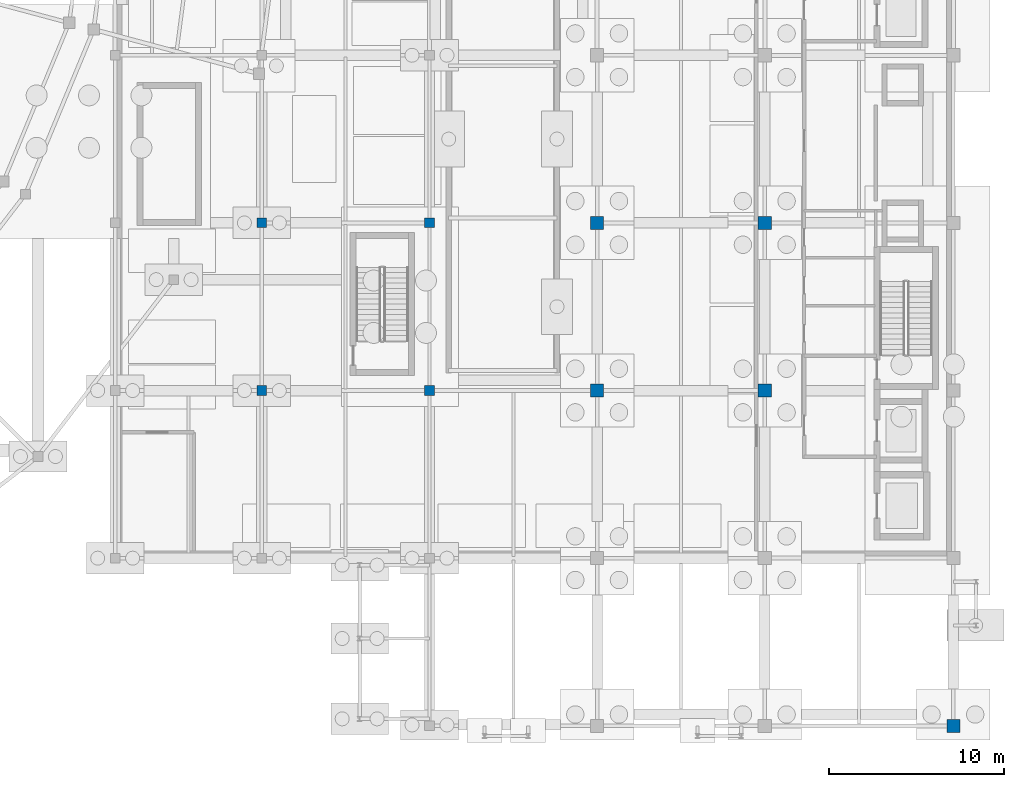
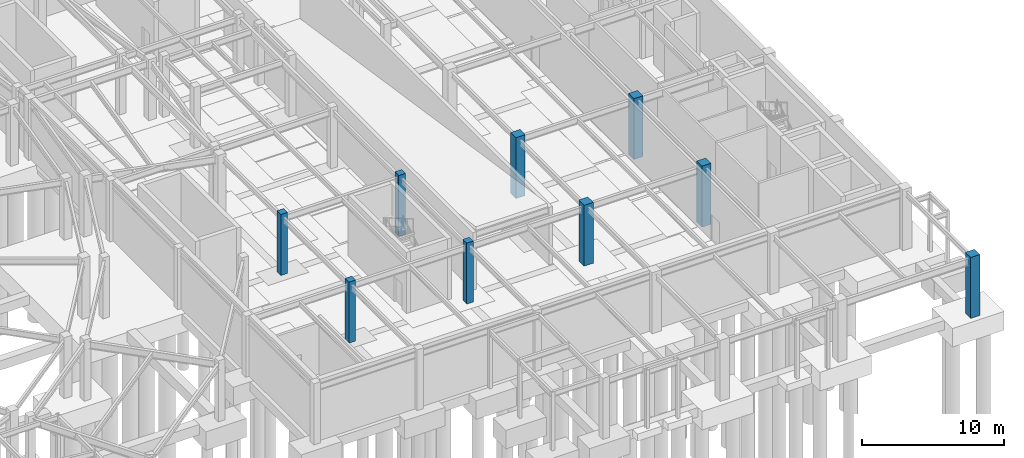
# One storey, part 30 of 55: 9 columns.
"""IFC4 building model written with IfcOpenShell, lengths in metres."""

from ifc_helpers import new_model, si_unit, direction, frame, origin, origin_2d, place, context, subcontext, project, spatial, rectangle, extrude, material, material_profile, profile_set, type_object, element, save


model = new_model("IFC4")

# Units and contexts
model_context = context("Model", 3, precision=1e-05, world=origin(), true_north=direction((0.0, 1.0)))
body_context = subcontext(model_context, "Body", "Model", "MODEL_VIEW")
ifc_project = project(units=[si_unit("LENGTHUNIT", "METRE"), si_unit("AREAUNIT", "SQUARE_METRE"), si_unit("VOLUMEUNIT", "CUBIC_METRE"), si_unit("PLANEANGLEUNIT", "RADIAN"), si_unit("MASSUNIT", "GRAM", prefix="KILO")], contexts=[model_context])

# Site, building, storey
site_placement = place(None, origin())
site = spatial("IfcSite", under=ifc_project, at=site_placement, CompositionType="ELEMENT")
building_placement = place(site_placement, origin())
building = spatial("IfcBuilding", under=site, at=building_placement, Name="Almandine Court Research Institute", CompositionType="ELEMENT")
storey_placement = place(building_placement, frame((0.0, 0.0, -5.25)))
storey = spatial("IfcBuildingStorey", under=building, at=storey_placement, Name="B1", CompositionType="ELEMENT", Elevation=-5.25)

# Columns
ifc_material = material(Name="Concrete C40/50", Category="concrete")
ifc_material_profile_1 = material_profile(ifc_material, rectangle(XDim=0.75, YDim=0.75, at=origin_2d()), Name="RC 750x750")
ifc_profile_set_1 = profile_set([ifc_material_profile_1], Name="Concrete C40/50")
column_type_1 = type_object("IfcColumnType", Name="Col-C-RC1", PredefinedType="COLUMN", material=ifc_profile_set_1)
for number, where, z_axis, x_axis, name in (
    (1, (153.60009765625, 25.199951171875, 0.0), (0.0, 0.0, 1.0), (1.0, 0.0, 0.0), "B1 V4 Column V4-X2Y3"),
    (2, (153.60009765625, 34.800048828125, 0.0), (0.0, 0.0, 1.0), (1.0, 0.0, 0.0), "B1 V4 Column V4-X2Y4"),
    (3, (163.199951171875, 25.199951171875, 0.0), (0.0, 0.0, 1.0), (1.0, 0.0, 0.0), "B1 V4 Column V4-X3Y3"),
    (4, (163.199951171875, 34.800048828125, 0.0), (0.0, 0.0, 1.0), (1.0, 0.0, 0.0), "B1 V4 Column V4-X3Y4"),
    (5, (174.0, 6.0, 0.0), (0.0, 0.0, 1.0), (1.0, 0.0, 0.0), "B1 V4 Column V4-X4Y1"),
):
    element("IfcColumn", number, at=place(storey_placement, frame(where, z_axis=z_axis, x_axis=x_axis)), inside=storey, type_object=column_type_1, Name=name, PredefinedType="COLUMN", context=body_context, shape_type="SweptSolid", body=[
        extrude(rectangle(XDim=0.75, YDim=0.75, at=origin_2d()), origin(), (0.0, 0.0, 1.0), 5.25),
    ])
ifc_material_profile_2 = material_profile(ifc_material, rectangle(XDim=0.550048828125, YDim=0.550048828125, at=origin_2d()), Name="RC 550x550")
ifc_profile_set_2 = profile_set([ifc_material_profile_2], Name="Concrete C40/50")
column_type_2 = type_object("IfcColumnType", Name="Col-C-RC3", PredefinedType="COLUMN", material=ifc_profile_set_2)
for number, where, z_axis, x_axis, name in (
    (6, (134.39990234375, 25.199951171875, 0.0), (0.0, 0.0, 1.0), (1.0, 0.0, 0.0), "B1 B1G Column B1G-X2Y2"),
    (7, (134.39990234375, 34.800048828125, 0.0), (0.0, 0.0, 1.0), (1.0, 0.0, 0.0), "B1 B1G Column B1G-X2Y3"),
    (8, (144.0, 25.199951171875, 0.0), (0.0, 0.0, 1.0), (1.0, 0.0, 0.0), "B1 B1G Column B1G-X3Y2"),
    (9, (144.0, 34.800048828125, 0.0), (0.0, 0.0, 1.0), (1.0, 0.0, 0.0), "B1 B1G Column B1G-X3Y3"),
):
    element("IfcColumn", number, at=place(storey_placement, frame(where, z_axis=z_axis, x_axis=x_axis)), inside=storey, type_object=column_type_2, Name=name, PredefinedType="COLUMN", context=body_context, shape_type="SweptSolid", body=[
        extrude(rectangle(XDim=0.550048828125, YDim=0.550048828125, at=origin_2d()), origin(), (0.0, 0.0, 1.0), 5.25),
    ])

save(model, "model.ifc")
